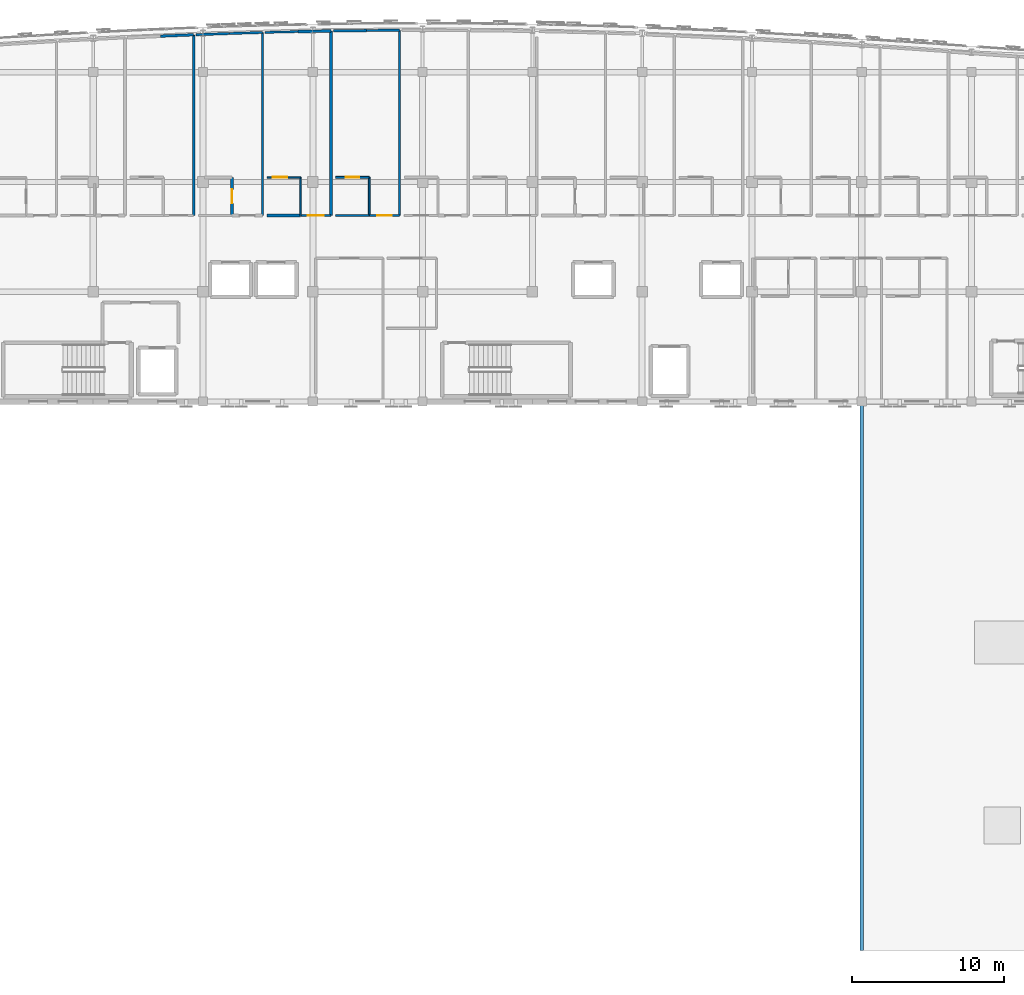
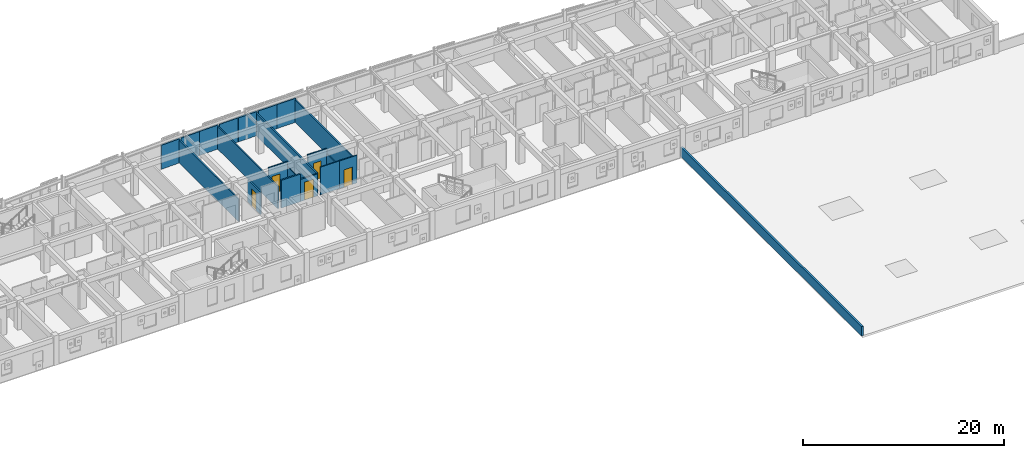
# One storey, part 41 of 50: 21 walls, 5 doors, 5 openings.
"""IFC4 building model written with IfcOpenShell, lengths in metres."""

from ifc_helpers import new_model, si_unit, direction, frame, frame_2d, origin, place, context, subcontext, project, spatial, rectangle, extrude, material, layer, layer_set, type_object, element, fill, save


model = new_model("IFC4")

# Units and contexts
model_context = context("Model", 3, precision=1e-05, world=origin(), true_north=direction((0.0, 1.0)))
body_context = subcontext(model_context, "Body", "Model", "MODEL_VIEW")
ifc_project = project(units=[si_unit("LENGTHUNIT", "METRE"), si_unit("AREAUNIT", "SQUARE_METRE"), si_unit("VOLUMEUNIT", "CUBIC_METRE"), si_unit("PLANEANGLEUNIT", "RADIAN"), si_unit("MASSUNIT", "GRAM", prefix="KILO")], contexts=[model_context])

# Site, building, storey
site_placement = place(None, origin())
site = spatial("IfcSite", under=ifc_project, at=site_placement, CompositionType="ELEMENT")
building_placement = place(site_placement, origin())
building = spatial("IfcBuilding", under=site, at=building_placement, Name="Carrowvane Square Congress Hotel", CompositionType="ELEMENT")
storey_placement = place(building_placement, frame((0.0, 0.0, 22.800048828125)))
storey = spatial("IfcBuildingStorey", under=building, at=storey_placement, Name="L05", CompositionType="ELEMENT", Elevation=22.800048828125)

# Walls
ifc_material_1 = material(Name="Acoustic gypsum board", Category="gypsum")
ifc_layer_1 = layer(ifc_material_1, 0.155029296875)
ifc_layer_set_1 = layer_set([ifc_layer_1], Name="Acoustic gypsum board")
wall_type_1 = type_object("IfcWallType", Name="WL-FIR-155", PredefinedType="PARTITIONING", material=ifc_layer_set_1)
wall_1_placement = place(storey_placement, frame((82.989990234375, 115.849609375, 0.0), z_axis=(0.0, 0.0, 1.0), x_axis=(0.0, -1.0, 0.0)))
element("IfcWall", 1, at=wall_1_placement, inside=storey, type_object=wall_type_1, Name="L05 Parkview Guest Bedroom 0518 partition", PredefinedType="PARTITIONING", context=body_context, shape_type="SweptSolid", body=[
    extrude(rectangle(XDim=11.849609375, YDim=0.155029296875, at=frame_2d((5.9248046875, 0.0))), origin(), (0.0, 0.0, 1.0), 2.73486328125),
])
wall_2_placement = place(storey_placement, frame((83.14990234375, 115.85595703125, 0.0), z_axis=(0.0, 0.0, 1.0), x_axis=(0.999364714838, 0.03563939865, 0.0)))
element("IfcWall", 2, at=wall_2_placement, inside=storey, type_object=wall_type_1, Name="L05 Parkview Guest Bedroom 0519 partition", PredefinedType="PARTITIONING", context=body_context, shape_type="SweptSolid", body=[
    extrude(rectangle(XDim=2.171630859375, YDim=0.155029296875, at=frame_2d((1.0859375, 0.0))), origin(), (0.0, 0.0, 1.0), 2.925537109375),
])

# Wall, opening, door
wall_3_placement = place(storey_placement, frame((91.989990234375, 104.0, 0.0), z_axis=(0.0, 0.0, 1.0), x_axis=(-1.0, 0.0, 0.0)))
wall_3 = element("IfcWall", 3, at=wall_3_placement, inside=storey, type_object=wall_type_1, Name="L05 Parkview Guest Bedroom 0520 partition", PredefinedType="PARTITIONING", context=body_context, shape_type="SweptSolid", body=[
    extrude(rectangle(XDim=1.97998046875, YDim=0.155029296875, at=frame_2d((0.989990234375, 0.0))), origin(), (0.0, 0.0, 1.0), 2.68505859375),
])
opening_1_placement = place(wall_3_placement, frame((0.4599609375, 0.0, 0.0)))
opening_1 = element("IfcOpeningElement", 4, at=opening_1_placement, cuts=wall_3, Name="Opening FD-09", PredefinedType="OPENING", context=body_context, shape_type="SweptSolid", body=[
    extrude(rectangle(XDim=1.06005859375, YDim=2.199951171875, at=frame_2d((0.530029296875, 1.10009765625))), frame((0.0, 0.08740234375, 0.0), z_axis=(0.0, -1.0, 0.0), x_axis=(1.0, 0.0, 0.0)), (0.0, 0.0, 1.0), 0.175048828125),
])
ifc_material_2 = material(Name="European oak timber", Category="wood")
door_type_1 = type_object("IfcDoorType", Name="DR-FD30-1060x2200", OperationType="NOTDEFINED", PredefinedType="DOOR", material=ifc_material_2)
door_1_placement = place(opening_1_placement, origin())
door_1 = element("IfcDoor", 5, at=door_1_placement, inside=storey, type_object=door_type_1, Name="L05 Parkview Guest Bedroom 0520 entrance door", OperationType="SINGLE_SWING_RIGHT", OverallHeight=2.199951171875, OverallWidth=1.06005859375, PredefinedType="DOOR", context=body_context, shape_type="SweptSolid", body=[
    extrude(rectangle(XDim=1.06005859375, YDim=2.199951171875, at=frame_2d((0.530029296875, 1.10009765625))), frame((0.0, 0.02490234375, 0.0), z_axis=(0.0, -1.0, 0.0), x_axis=(1.0, 0.0, 0.0)), (0.0, 0.0, 1.0), 0.050048828125),
])
fill(opening_1, door_1)

# Walls
wall_4_placement = place(storey_placement, frame((94.320068359375, 116.129638671875, 0.0), z_axis=(0.0, 0.0, 1.0), x_axis=(0.999974879594, 0.007088030762, 0.0)))
element("IfcWall", 6, at=wall_4_placement, inside=storey, type_object=wall_type_1, Name="L05 Parkview Guest Bedroom 0521 partition", PredefinedType="PARTITIONING", context=body_context, shape_type="SweptSolid", body=[
    extrude(rectangle(XDim=2.169921875, YDim=0.155029296875, at=frame_2d((1.0849609375, 0.0))), origin(), (0.0, 0.0, 1.0), 2.925537109375),
])
ifc_material_3 = material(Name="Acoustic gypsum board", Category="gypsum")
ifc_layer_2 = layer(ifc_material_3, 0.169921875)
ifc_layer_set_2 = layer_set([ifc_layer_2], Name="Acoustic gypsum board")
wall_type_2 = type_object("IfcWallType", Name="WL-FIR-170", PredefinedType="PARTITIONING", material=ifc_layer_set_2)
wall_5_placement = place(storey_placement, frame((80.820068359375, 115.76025390625, 0.0), z_axis=(0.0, 0.0, 1.0), x_axis=(0.999153216902, 0.041144248131, 0.0)))
element("IfcWall", 7, at=wall_5_placement, inside=storey, type_object=wall_type_2, Name="L05 Parkview Guest Bedroom 0518 partition", PredefinedType="PARTITIONING", context=body_context, shape_type="SweptSolid", body=[
    extrude(rectangle(XDim=2.171875, YDim=0.169921875, at=frame_2d((1.0859375, 0.0))), origin(), (0.0, 0.0, 1.0), 2.925537109375),
])

# Wall, opening, door
wall_6_placement = place(storey_placement, frame((85.5, 106.5, 0.0), z_axis=(0.0, 0.0, 1.0), x_axis=(0.0, -1.0, 0.0)))
wall_6 = element("IfcWall", 8, at=wall_6_placement, inside=storey, type_object=wall_type_2, Name="L05 En-suite Bathroom 0519 partition", PredefinedType="PARTITIONING", context=body_context, shape_type="SweptSolid", body=[
    extrude(rectangle(XDim=2.5, YDim=0.169921875, at=frame_2d((1.25, 0.0))), origin(), (0.0, 0.0, 1.0), 2.73486328125),
])
opening_2_placement = place(wall_6_placement, frame((0.7900390625, 0.0, 0.0)))
opening_2 = element("IfcOpeningElement", 9, at=opening_2_placement, cuts=wall_6, Name="Opening ID-03", PredefinedType="OPENING", context=body_context, shape_type="SweptSolid", body=[
    extrude(rectangle(XDim=0.919921875, YDim=2.10009765625, at=frame_2d((0.4599609375, 1.050048828125))), frame((0.0, 0.094970703125, 0.0), z_axis=(0.0, -1.0, 0.0), x_axis=(1.0, 0.0, 0.0)), (0.0, 0.0, 1.0), 0.18994140625),
])
ifc_material_4 = material(Name="European oak timber", Category="wood")
door_type_2 = type_object("IfcDoorType", Name="DR-INT-0920x2100", OperationType="NOTDEFINED", PredefinedType="DOOR", material=ifc_material_4)
door_2_placement = place(opening_2_placement, origin())
door_2 = element("IfcDoor", 10, at=door_2_placement, inside=storey, type_object=door_type_2, Name="L05 En-suite Bathroom 0519 door", OperationType="SINGLE_SWING_LEFT", OverallHeight=2.10009765625, OverallWidth=0.919921875, PredefinedType="DOOR", context=body_context, shape_type="SweptSolid", body=[
    extrude(rectangle(XDim=0.919921875, YDim=2.10009765625, at=frame_2d((0.4599609375, 1.050048828125))), frame((0.0, 0.02490234375, 0.0), z_axis=(0.0, -1.0, 0.0), x_axis=(1.0, 0.0, 0.0)), (0.0, 0.0, 1.0), 0.050048828125),
])
fill(opening_2, door_2)

# Walls
wall_7_placement = place(storey_placement, frame((91.989990234375, 116.09912109375, 0.0), z_axis=(0.0, 0.0, 1.0), x_axis=(0.0, -1.0, 0.0)))
element("IfcWall", 11, at=wall_7_placement, inside=storey, type_object=wall_type_2, Name="L05 Parkview Guest Bedroom 0520 partition", PredefinedType="PARTITIONING", context=body_context, shape_type="SweptSolid", body=[
    extrude(rectangle(XDim=12.09912109375, YDim=0.169921875, at=frame_2d((6.049560546875, 0.0))), origin(), (0.0, 0.0, 1.0), 2.73486328125),
])
wall_8_placement = place(storey_placement, frame((92.14990234375, 116.1015625, 0.0), z_axis=(0.0, 0.0, 1.0), x_axis=(0.999916323143, 0.012936255727, 0.0)))
element("IfcWall", 12, at=wall_8_placement, inside=storey, type_object=wall_type_2, Name="L05 Parkview Guest Bedroom 0521 partition", PredefinedType="PARTITIONING", context=body_context, shape_type="SweptSolid", body=[
    extrude(rectangle(XDim=2.17041015625, YDim=0.169921875, at=frame_2d((1.085205078125, 0.0))), origin(), (0.0, 0.0, 1.0), 2.925537109375),
])
ifc_material_5 = material(Name="Acoustic gypsum board", Category="gypsum")
ifc_layer_3 = layer(ifc_material_5, 0.18505859375)
ifc_layer_set_3 = layer_set([ifc_layer_3], Name="Acoustic gypsum board")
wall_type_3 = type_object("IfcWallType", Name="WL-FIR-185", PredefinedType="PARTITIONING", material=ifc_layer_set_3)
wall_9_placement = place(storey_placement, frame((90.0, 104.0, 0.0), z_axis=(0.0, 0.0, 1.0), x_axis=(-1.0, 0.0, 0.0)))
element("IfcWall", 13, at=wall_9_placement, inside=storey, type_object=wall_type_3, Name="L05 En-suite Bathroom 0520 partition", PredefinedType="PARTITIONING", context=body_context, shape_type="SweptSolid", body=[
    extrude(rectangle(XDim=2.199951171875, YDim=0.18505859375, at=frame_2d((1.10009765625, 0.0))), origin(), (0.0, 0.0, 1.0), 3.349853515625),
])
wall_10_placement = place(storey_placement, frame((89.820068359375, 116.0576171875, 0.0), z_axis=(0.0, 0.0, 1.0), x_axis=(0.999817130779, 0.019123414968, 0.0)))
element("IfcWall", 14, at=wall_10_placement, inside=storey, type_object=wall_type_3, Name="L05 Parkview Guest Bedroom 0520 partition", PredefinedType="PARTITIONING", context=body_context, shape_type="SweptSolid", body=[
    extrude(rectangle(XDim=2.17041015625, YDim=0.18505859375, at=frame_2d((1.085205078125, 0.0))), origin(), (0.0, 0.0, 1.0), 2.925537109375),
])
ifc_material_6 = material(Name="Glazed terracotta rainscreen", Category="masonry")
ifc_layer_4 = layer(ifc_material_6, 0.215087890625)
ifc_layer_set_4 = layer_set([ifc_layer_4], Name="Glazed terracotta rainscreen")
wall_type_4 = type_object("IfcWallType", Name="WL-PAR-215", PredefinedType="PARAPET", material=ifc_layer_set_4)
wall_11_placement = place(storey_placement, frame((126.800048828125, 55.800048828125, 0.0), z_axis=(0.0, 0.0, 1.0), x_axis=(0.0, 1.0, 0.0)))
element("IfcWall", 15, at=wall_11_placement, inside=storey, type_object=wall_type_4, Name="V3 roof parapet 4", PredefinedType="PARAPET", context=body_context, shape_type="SweptSolid", body=[
    extrude(rectangle(XDim=36.0, YDim=0.215087890625, at=frame_2d((18.0, 0.0))), origin(), (0.0, 0.0, 1.0), 1.14990234375),
])
ifc_material_7 = material(Name="Acoustic gypsum board", Category="gypsum")
ifc_layer_5 = layer(ifc_material_7, 0.097900390625)
ifc_layer_set_5 = layer_set([ifc_layer_5], Name="Acoustic gypsum board")
wall_type_5 = type_object("IfcWallType", Name="WL-PRT-098", PredefinedType="PARTITIONING", material=ifc_layer_set_5)
wall_12_placement = place(storey_placement, frame((90.0, 106.5, 0.0), z_axis=(0.0, 0.0, 1.0), x_axis=(0.0, -1.0, 0.0)))
element("IfcWall", 16, at=wall_12_placement, inside=storey, type_object=wall_type_5, Name="L05 En-suite Bathroom 0520 partition", PredefinedType="PARTITIONING", context=body_context, shape_type="SweptSolid", body=[
    extrude(rectangle(XDim=2.5, YDim=0.097900390625, at=frame_2d((1.25, 0.0))), origin(), (0.0, 0.0, 1.0), 2.73486328125),
])

# Wall, opening, door
ifc_material_8 = material(Name="Acoustic gypsum board", Category="gypsum")
ifc_layer_6 = layer(ifc_material_8, 0.10791015625)
ifc_layer_set_6 = layer_set([ifc_layer_6], Name="Acoustic gypsum board")
wall_type_6 = type_object("IfcWallType", Name="WL-PRT-108", PredefinedType="PARTITIONING", material=ifc_layer_set_6)
wall_13_placement = place(storey_placement, frame((87.800048828125, 106.5, 0.0), z_axis=(0.0, 0.0, 1.0), x_axis=(1.0, 0.0, 0.0)))
wall_13 = element("IfcWall", 17, at=wall_13_placement, inside=storey, type_object=wall_type_6, Name="L05 En-suite Bathroom 0520 partition", PredefinedType="PARTITIONING", context=body_context, shape_type="SweptSolid", body=[
    extrude(rectangle(XDim=2.199951171875, YDim=0.10791015625, at=frame_2d((1.10009765625, 0.0))), origin(), (0.0, 0.0, 1.0), 3.349853515625),
])
opening_3_placement = place(wall_13_placement, frame((0.3701171875, 0.0, 0.0)))
opening_3 = element("IfcOpeningElement", 18, at=opening_3_placement, cuts=wall_13, Name="Opening ID-05", PredefinedType="OPENING", context=body_context, shape_type="SweptSolid", body=[
    extrude(rectangle(XDim=0.9599609375, YDim=2.139892578125, at=frame_2d((0.47998046875, 1.06982421875))), frame((0.0, 0.06396484375, 0.0), z_axis=(0.0, -1.0, 0.0), x_axis=(1.0, 0.0, 0.0)), (0.0, 0.0, 1.0), 0.1279296875),
])
ifc_material_9 = material(Name="European oak timber", Category="wood")
door_type_3 = type_object("IfcDoorType", Name="DR-INT-0960x2140", OperationType="NOTDEFINED", PredefinedType="DOOR", material=ifc_material_9)
door_3_placement = place(opening_3_placement, origin())
door_3 = element("IfcDoor", 19, at=door_3_placement, inside=storey, type_object=door_type_3, Name="L05 En-suite Bathroom 0520 door", OperationType="SINGLE_SWING_LEFT", OverallHeight=2.139892578125, OverallWidth=0.9599609375, PredefinedType="DOOR", context=body_context, shape_type="SweptSolid", body=[
    extrude(rectangle(XDim=0.9599609375, YDim=2.139892578125, at=frame_2d((0.47998046875, 1.06982421875))), frame((0.0, 0.02490234375, 0.0), z_axis=(0.0, -1.0, 0.0), x_axis=(1.0, 0.0, 0.0)), (0.0, 0.0, 1.0), 0.050048828125),
])
fill(opening_3, door_3)

# Walls
wall_14_placement = place(storey_placement, frame((94.5, 104.0, 0.0), z_axis=(0.0, 0.0, 1.0), x_axis=(-1.0, 0.0, 0.0)))
element("IfcWall", 20, at=wall_14_placement, inside=storey, type_object=wall_type_6, Name="L05 En-suite Bathroom 0521 partition", PredefinedType="PARTITIONING", context=body_context, shape_type="SweptSolid", body=[
    extrude(rectangle(XDim=2.199951171875, YDim=0.10791015625, at=frame_2d((1.10009765625, 0.0))), origin(), (0.0, 0.0, 1.0), 3.349853515625),
])
ifc_material_10 = material(Name="Acoustic gypsum board", Category="gypsum")
ifc_layer_7 = layer(ifc_material_10, 0.117919921875)
ifc_layer_set_7 = layer_set([ifc_layer_7], Name="Acoustic gypsum board")
wall_type_7 = type_object("IfcWallType", Name="WL-PRT-118", PredefinedType="PARTITIONING", material=ifc_layer_set_7)
wall_15_placement = place(storey_placement, frame((94.5, 106.5, 0.0), z_axis=(0.0, 0.0, 1.0), x_axis=(0.0, -1.0, 0.0)))
element("IfcWall", 21, at=wall_15_placement, inside=storey, type_object=wall_type_7, Name="L05 En-suite Bathroom 0521 partition", PredefinedType="PARTITIONING", context=body_context, shape_type="SweptSolid", body=[
    extrude(rectangle(XDim=2.5, YDim=0.117919921875, at=frame_2d((1.25, 0.0))), origin(), (0.0, 0.0, 1.0), 2.73486328125),
])

# Wall, opening, door
ifc_material_11 = material(Name="Acoustic gypsum board", Category="gypsum")
ifc_layer_8 = layer(ifc_material_11, 0.1279296875)
ifc_layer_set_8 = layer_set([ifc_layer_8], Name="Acoustic gypsum board")
wall_type_8 = type_object("IfcWallType", Name="WL-PRT-128", PredefinedType="PARTITIONING", material=ifc_layer_set_8)
wall_16_placement = place(storey_placement, frame((92.300048828125, 106.5, 0.0), z_axis=(0.0, 0.0, 1.0), x_axis=(1.0, 0.0, 0.0)))
wall_16 = element("IfcWall", 22, at=wall_16_placement, inside=storey, type_object=wall_type_8, Name="L05 En-suite Bathroom 0521 partition", PredefinedType="PARTITIONING", context=body_context, shape_type="SweptSolid", body=[
    extrude(rectangle(XDim=2.199951171875, YDim=0.1279296875, at=frame_2d((1.10009765625, 0.0))), origin(), (0.0, 0.0, 1.0), 3.349853515625),
])
opening_4_placement = place(wall_16_placement, frame((0.655029296875, 0.0, 0.0)))
opening_4 = element("IfcOpeningElement", 23, at=opening_4_placement, cuts=wall_16, Name="Opening ID-16", PredefinedType="OPENING", context=body_context, shape_type="SweptSolid", body=[
    extrude(rectangle(XDim=0.889892578125, YDim=2.090087890625, at=frame_2d((0.44482421875, 1.044921875))), frame((0.0, 0.073974609375, 0.0), z_axis=(0.0, -1.0, 0.0), x_axis=(1.0, 0.0, 0.0)), (0.0, 0.0, 1.0), 0.14794921875),
])
ifc_material_12 = material(Name="European oak timber", Category="wood")
door_type_4 = type_object("IfcDoorType", Name="DR-INT-0890x2090", OperationType="NOTDEFINED", PredefinedType="DOOR", material=ifc_material_12)
door_4_placement = place(opening_4_placement, origin())
door_4 = element("IfcDoor", 24, at=door_4_placement, inside=storey, type_object=door_type_4, Name="L05 En-suite Bathroom 0521 door", OperationType="SINGLE_SWING_LEFT", OverallHeight=2.090087890625, OverallWidth=0.889892578125, PredefinedType="DOOR", context=body_context, shape_type="SweptSolid", body=[
    extrude(rectangle(XDim=0.889892578125, YDim=2.090087890625, at=frame_2d((0.44482421875, 1.044921875))), frame((0.0, 0.02490234375, 0.0), z_axis=(0.0, -1.0, 0.0), x_axis=(1.0, 0.0, 0.0)), (0.0, 0.0, 1.0), 0.050048828125),
])
fill(opening_4, door_4)

# Walls
ifc_material_13 = material(Name="Acoustic gypsum board", Category="gypsum")
ifc_layer_9 = layer(ifc_material_13, 0.137939453125)
ifc_layer_set_9 = layer_set([ifc_layer_9], Name="Acoustic gypsum board")
wall_type_9 = type_object("IfcWallType", Name="WL-PRT-138", PredefinedType="PARTITIONING", material=ifc_layer_set_9)
wall_17_placement = place(storey_placement, frame((87.489990234375, 115.99951171875, 0.0), z_axis=(0.0, 0.0, 1.0), x_axis=(0.0, -1.0, 0.0)))
element("IfcWall", 25, at=wall_17_placement, inside=storey, type_object=wall_type_9, Name="L05 Parkview Guest Bedroom 0519 partition", PredefinedType="PARTITIONING", context=body_context, shape_type="SweptSolid", body=[
    extrude(rectangle(XDim=11.99951171875, YDim=0.137939453125, at=frame_2d((5.999755859375, 0.0))), origin(), (0.0, 0.0, 1.0), 2.73486328125),
])
wall_18_placement = place(storey_placement, frame((87.64990234375, 116.004150390625, 0.0), z_axis=(0.0, 0.0, 1.0), x_axis=(0.999696642479, 0.024629718158, 0.0)))
element("IfcWall", 26, at=wall_18_placement, inside=storey, type_object=wall_type_9, Name="L05 Parkview Guest Bedroom 0520 partition", PredefinedType="PARTITIONING", context=body_context, shape_type="SweptSolid", body=[
    extrude(rectangle(XDim=2.1708984375, YDim=0.137939453125, at=frame_2d((1.08544921875, 0.0))), origin(), (0.0, 0.0, 1.0), 2.925537109375),
])

# Wall, opening, door
wall_19_placement = place(storey_placement, frame((96.489990234375, 104.0, 0.0), z_axis=(0.0, 0.0, 1.0), x_axis=(-1.0, 0.0, 0.0)))
wall_19 = element("IfcWall", 27, at=wall_19_placement, inside=storey, type_object=wall_type_9, Name="L05 Parkview Guest Bedroom 0521 partition", PredefinedType="PARTITIONING", context=body_context, shape_type="SweptSolid", body=[
    extrude(rectangle(XDim=1.97998046875, YDim=0.137939453125, at=frame_2d((0.989990234375, 0.0))), origin(), (0.0, 0.0, 1.0), 3.349853515625),
])
opening_5_placement = place(wall_19_placement, frame((0.514892578125, 0.0, 0.0)))
opening_5 = element("IfcOpeningElement", 28, at=opening_5_placement, cuts=wall_19, Name="Opening FD-06", PredefinedType="OPENING", context=body_context, shape_type="SweptSolid", body=[
    extrude(rectangle(XDim=0.949951171875, YDim=2.10009765625, at=frame_2d((0.47509765625, 1.050048828125))), frame((0.0, 0.078857421875, 0.0), z_axis=(0.0, -1.0, 0.0), x_axis=(1.0, 0.0, 0.0)), (0.0, 0.0, 1.0), 0.157958984375),
])
ifc_material_14 = material(Name="European oak timber", Category="wood")
door_type_5 = type_object("IfcDoorType", Name="DR-FD30-0950x2100", OperationType="NOTDEFINED", PredefinedType="DOOR", material=ifc_material_14)
door_5_placement = place(opening_5_placement, origin())
door_5 = element("IfcDoor", 29, at=door_5_placement, inside=storey, type_object=door_type_5, Name="L05 Parkview Guest Bedroom 0521 entrance door", OperationType="SINGLE_SWING_RIGHT", OverallHeight=2.10009765625, OverallWidth=0.949951171875, PredefinedType="DOOR", context=body_context, shape_type="SweptSolid", body=[
    extrude(rectangle(XDim=0.949951171875, YDim=2.10009765625, at=frame_2d((0.47509765625, 1.050048828125))), frame((0.0, 0.02490234375, 0.0), z_axis=(0.0, -1.0, 0.0), x_axis=(1.0, 0.0, 0.0)), (0.0, 0.0, 1.0), 0.050048828125),
])
fill(opening_5, door_5)

# Walls
ifc_material_15 = material(Name="Acoustic gypsum board", Category="gypsum")
ifc_layer_10 = layer(ifc_material_15, 0.14794921875)
ifc_layer_set_10 = layer_set([ifc_layer_10], Name="Acoustic gypsum board")
wall_type_10 = type_object("IfcWallType", Name="WL-PRT-148", PredefinedType="PARTITIONING", material=ifc_layer_set_10)
wall_20_placement = place(storey_placement, frame((85.320068359375, 115.933349609375, 0.0), z_axis=(0.0, 0.0, 1.0), x_axis=(0.999535487068, 0.030476385801, 0.0)))
element("IfcWall", 30, at=wall_20_placement, inside=storey, type_object=wall_type_10, Name="L05 Parkview Guest Bedroom 0519 partition", PredefinedType="PARTITIONING", context=body_context, shape_type="SweptSolid", body=[
    extrude(rectangle(XDim=2.1708984375, YDim=0.14794921875, at=frame_2d((1.08544921875, 0.0))), origin(), (0.0, 0.0, 1.0), 2.925537109375),
])
wall_21_placement = place(storey_placement, frame((96.489990234375, 116.14501953125, 0.0), z_axis=(0.0, 0.0, 1.0), x_axis=(0.0, -1.0, 0.0)))
element("IfcWall", 31, at=wall_21_placement, inside=storey, type_object=wall_type_10, Name="L05 Parkview Guest Bedroom 0521 partition", PredefinedType="PARTITIONING", context=body_context, shape_type="SweptSolid", body=[
    extrude(rectangle(XDim=12.14501953125, YDim=0.14794921875, at=frame_2d((6.072509765625, 0.0))), origin(), (0.0, 0.0, 1.0), 2.73486328125),
])

save(model, "model.ifc")
